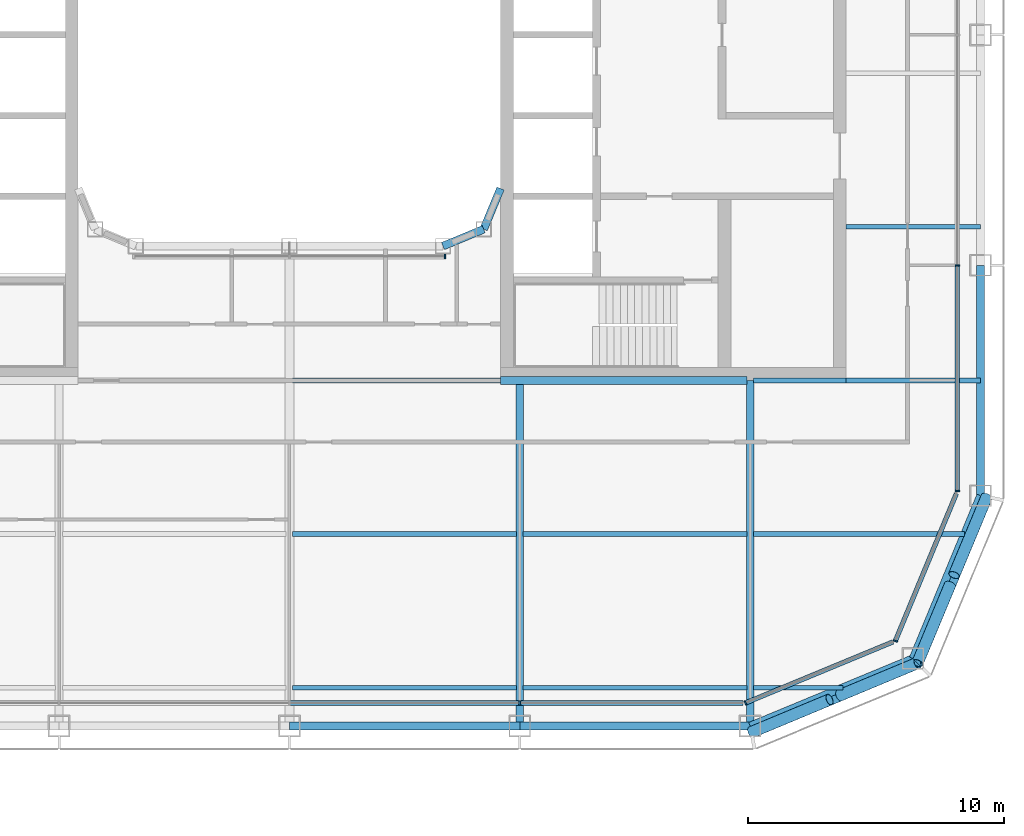
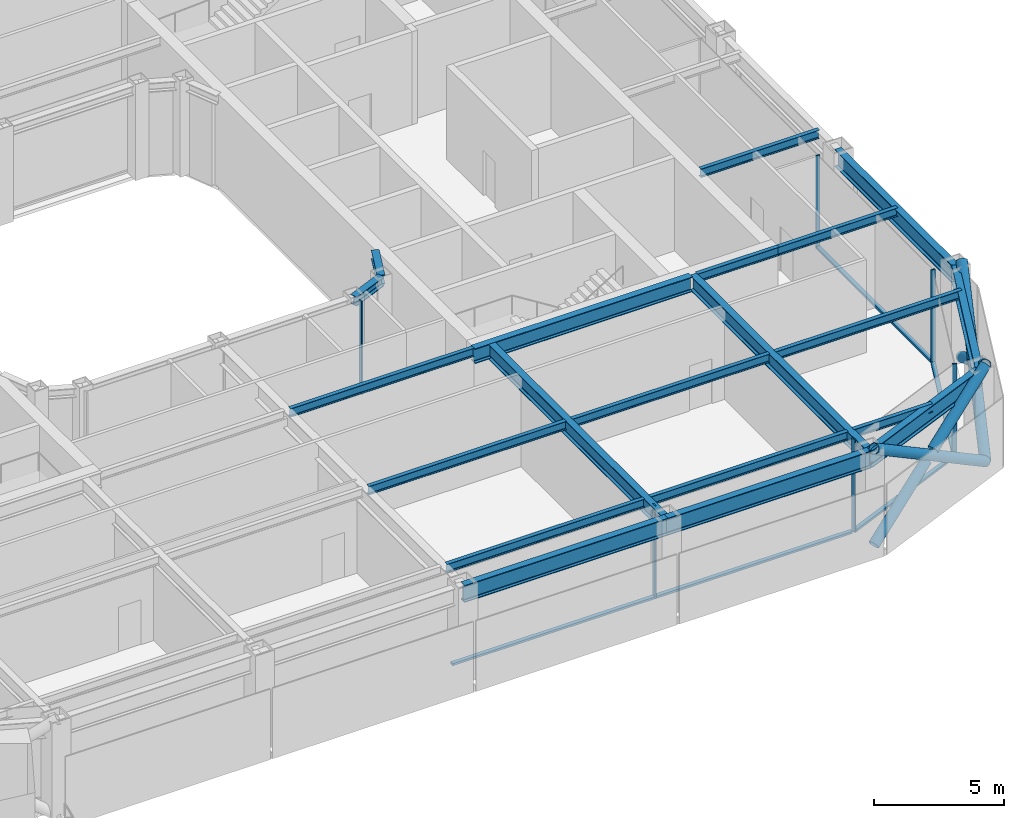
# One storey, part 4 of 24: 20 beams, 17 members, 5 elements without a shape of their own.
"""IFC4 building model written with IfcOpenShell, lengths in metres."""

from ifc_helpers import new_model, si_unit, direction, frame, origin, origin_2d, place, context, subcontext, project, spatial, rectangle, hollow_circle, i_section, extrude, material, layer, layer_set, material_profile, profile_set, type_object, element, aggregate, save


model = new_model("IFC4")

# Units and contexts
model_context = context("Model", 3, precision=1e-05, world=origin(), true_north=direction((0.0, 1.0)))
body_context = subcontext(model_context, "Body", "Model", "MODEL_VIEW")
ifc_project = project(units=[si_unit("LENGTHUNIT", "METRE"), si_unit("AREAUNIT", "SQUARE_METRE"), si_unit("VOLUMEUNIT", "CUBIC_METRE"), si_unit("PLANEANGLEUNIT", "RADIAN"), si_unit("MASSUNIT", "GRAM", prefix="KILO")], contexts=[model_context])

# Site, building, storey
site_placement = place(None, origin())
site = spatial("IfcSite", under=ifc_project, at=site_placement, CompositionType="ELEMENT")
building_placement = place(site_placement, origin())
building = spatial("IfcBuilding", under=site, at=building_placement, Name="Siwar Civic Tower", CompositionType="ELEMENT")
storey_placement = place(building_placement, frame((0.0, 0.0, 215.199951171875)))
storey = spatial("IfcBuildingStorey", under=building, at=storey_placement, Name="L46", CompositionType="ELEMENT", Elevation=215.199951171875)

# Curtain wall, member
ifc_material_1 = material(Name="Aluminium and glass", Category="aluminium")
ifc_layer_1 = layer(ifc_material_1, 0.179931640625)
ifc_layer_set_1 = layer_set([ifc_layer_1], Name="Aluminium and glass")
curtain_wall_type_1 = type_object("IfcCurtainWallType", Name="ENV-CW-C", PredefinedType="NOTDEFINED", material=ifc_layer_set_1)
curtain_wall_1_placement = place(storey_placement, origin())
curtain_wall_1 = element("IfcCurtainWall", 1, at=curtain_wall_1_placement, inside=storey, type_object=curtain_wall_type_1, Name="Curtain wall C S", PredefinedType="NOTDEFINED")
ifc_material_2 = material(Name="Aluminium 6063-T6", Category="aluminium")
ifc_material_profile_1 = material_profile(ifc_material_2, rectangle(XDim=0.179931640625, YDim=0.06005859375, at=origin_2d()), Name="AL 180x60")
ifc_profile_set_1 = profile_set([ifc_material_profile_1], Name="Aluminium 6063-T6")
member_type_1 = type_object("IfcMemberType", Name="ENV-MULLION-C", PredefinedType="MULLION", material=ifc_profile_set_1)
member_1_placement = place(storey_placement, frame((9.0, -26.10009765625, 0.0), z_axis=(0.0, 0.0, 1.0), x_axis=(0.0, 1.0, 0.0)))
member_1 = element("IfcMember", 2, at=member_1_placement, type_object=member_type_1, Name="Mullion C S 4", PredefinedType="MULLION", context=body_context, shape_type="SweptSolid", body=[
    extrude(rectangle(XDim=0.179931640625, YDim=0.06005859375, at=origin_2d()), origin(), (0.0, 0.0, 1.0), 4.35009765625),
])

ifc_material_3 = material(Name="Aluminium clad insulated panel", Category="aluminium")
ifc_layer_2 = layer(ifc_material_3, 0.179931640625)
ifc_layer_set_2 = layer_set([ifc_layer_2], Name="Aluminium clad insulated panel")
curtain_wall_type_2 = type_object("IfcCurtainWallType", Name="ENV-CW-CX", PredefinedType="NOTDEFINED", material=ifc_layer_set_2)
curtain_wall_2_placement = place(storey_placement, origin())
curtain_wall_2 = element("IfcCurtainWall", 3, at=curtain_wall_2_placement, inside=storey, type_object=curtain_wall_type_2, Name="Curtain wall C SE1", PredefinedType="NOTDEFINED")
member_2_placement = place(storey_placement, frame((17.821044921875, -26.10009765625, 0.0), z_axis=(0.0, 0.0, 1.0), x_axis=(-0.382683432365, 0.923879532511, 0.0)))
member_2 = element("IfcMember", 4, at=member_2_placement, type_object=member_type_1, Name="Mullion C SE1 1", PredefinedType="MULLION", context=body_context, shape_type="SweptSolid", body=[
    extrude(rectangle(XDim=0.179931640625, YDim=0.06005859375, at=origin_2d()), origin(), (0.0, 0.0, 1.0), 4.35009765625),
])

curtain_wall_3_placement = place(storey_placement, origin())
curtain_wall_3 = element("IfcCurtainWall", 5, at=curtain_wall_3_placement, inside=storey, type_object=curtain_wall_type_2, Name="Curtain wall C SE2", PredefinedType="NOTDEFINED")
member_3_placement = place(storey_placement, frame((23.675048828125, -23.675048828125, 0.0), z_axis=(0.0, 0.0, 1.0), x_axis=(-0.923879532511, 0.382683432365, 0.0)))
member_3 = element("IfcMember", 6, at=member_3_placement, type_object=member_type_1, Name="Mullion C SE2 1", PredefinedType="MULLION", context=body_context, shape_type="SweptSolid", body=[
    extrude(rectangle(XDim=0.179931640625, YDim=0.06005859375, at=origin_2d()), origin(), (0.0, 0.0, 1.0), 4.35009765625),
])

# Curtain wall, members
curtain_wall_4_placement = place(storey_placement, origin())
curtain_wall_4 = element("IfcCurtainWall", 7, at=curtain_wall_4_placement, inside=storey, type_object=curtain_wall_type_1, Name="Curtain wall C E", PredefinedType="NOTDEFINED")
member_4_placement = place(storey_placement, frame((26.10009765625, -17.821044921875, 0.0), z_axis=(0.0, 0.0, 1.0), x_axis=(-1.0, 0.0, 0.0)))
member_4 = element("IfcMember", 8, at=member_4_placement, type_object=member_type_1, Name="Mullion C E 1", PredefinedType="MULLION", context=body_context, shape_type="SweptSolid", body=[
    extrude(rectangle(XDim=0.179931640625, YDim=0.06005859375, at=origin_2d()), origin(), (0.0, 0.0, 1.0), 4.35009765625),
])
member_5_placement = place(storey_placement, frame((26.10009765625, -9.0, 0.0), z_axis=(0.0, 0.0, 1.0), x_axis=(-1.0, 0.0, 0.0)))
member_5 = element("IfcMember", 9, at=member_5_placement, type_object=member_type_1, Name="Mullion C E 2", PredefinedType="MULLION", context=body_context, shape_type="SweptSolid", body=[
    extrude(rectangle(XDim=0.179931640625, YDim=0.06005859375, at=origin_2d()), origin(), (0.0, 0.0, 1.0), 4.35009765625),
])

# Curtain wall, member
ifc_material_4 = material(Name="Aluminium and glass", Category="aluminium")
ifc_layer_3 = layer(ifc_material_4, 0.179931640625)
ifc_layer_set_3 = layer_set([ifc_layer_3], Name="Aluminium and glass")
curtain_wall_type_3 = type_object("IfcCurtainWallType", Name="ENV-CW-W", PredefinedType="NOTDEFINED", material=ifc_layer_set_3)
curtain_wall_5_placement = place(storey_placement, origin())
curtain_wall_5 = element("IfcCurtainWall", 10, at=curtain_wall_5_placement, inside=storey, type_object=curtain_wall_type_3, Name="Curtain wall W WS", PredefinedType="NOTDEFINED")
ifc_material_5 = material(Name="Aluminium 6063-T6", Category="aluminium")
ifc_material_profile_2 = material_profile(ifc_material_5, rectangle(XDim=0.179931640625, YDim=0.06005859375, at=origin_2d()), Name="AL 180x60")
ifc_profile_set_2 = profile_set([ifc_material_profile_2], Name="Aluminium 6063-T6")
member_type_2 = type_object("IfcMemberType", Name="ENV-MULLION-W", PredefinedType="MULLION", material=ifc_profile_set_2)
member_6_placement = place(storey_placement, frame((6.08154296875, -8.659912109375, 0.0), z_axis=(0.0, 0.0, 1.0), x_axis=(0.0, 1.0, 0.0)))
member_6 = element("IfcMember", 11, at=member_6_placement, type_object=member_type_2, Name="Mullion W WS 3", PredefinedType="MULLION", context=body_context, shape_type="SweptSolid", body=[
    extrude(rectangle(XDim=0.179931640625, YDim=0.06005859375, at=origin_2d()), origin(), (0.0, 0.0, 1.0), 4.35009765625),
])
aggregate(curtain_wall_5, [member_6])

# Member
ifc_material_6 = material(Name="Aluminium 6063-T6", Category="aluminium")
ifc_material_profile_3 = material_profile(ifc_material_6, rectangle(XDim=0.179931640625, YDim=0.10009765625, at=origin_2d()), Name="AL 180x100")
ifc_profile_set_3 = profile_set([ifc_material_profile_3], Name="Aluminium 6063-T6")
member_type_3 = type_object("IfcMemberType", Name="ENV-TRANSOM-C", PredefinedType="USERDEFINED", material=ifc_profile_set_3)
member_7_placement = place(storey_placement, frame((0.030029296875, -26.10009765625, 0.050048828125), z_axis=(1.0, 0.0, 0.0), x_axis=(0.0, 1.0, 0.0)))
member_7 = element("IfcMember", 12, at=member_7_placement, type_object=member_type_3, Name="Transom C S 3", ObjectType="TRANSOM", PredefinedType="USERDEFINED", context=body_context, shape_type="SweptSolid", body=[
    extrude(rectangle(XDim=0.179931640625, YDim=0.10009765625, at=origin_2d()), origin(), (0.0, 0.0, 1.0), 8.93994140625),
])

member_8_placement = place(storey_placement, frame((9.030029296875, -26.10009765625, 0.050048828125), z_axis=(1.0, 0.0, 0.0), x_axis=(0.0, 1.0, 0.0)))
member_8 = element("IfcMember", 13, at=member_8_placement, type_object=member_type_3, Name="Transom C S 4", ObjectType="TRANSOM", PredefinedType="USERDEFINED", context=body_context, shape_type="SweptSolid", body=[
    extrude(rectangle(XDim=0.179931640625, YDim=0.10009765625, at=origin_2d()), origin(), (0.0, 0.0, 1.0), 8.68603515625),
])

aggregate(curtain_wall_1, [member_1, member_7, member_8])

member_9_placement = place(storey_placement, frame((17.8486328125, -26.088623046875, 0.050048828125), z_axis=(0.923882011223, 0.38267744817, 0.0), x_axis=(-0.38267744817, 0.923882011223, 0.0)))
member_9 = element("IfcMember", 14, at=member_9_placement, type_object=member_type_3, Name="Transom C SE1 1", ObjectType="TRANSOM", PredefinedType="USERDEFINED", context=body_context, shape_type="SweptSolid", body=[
    extrude(rectangle(XDim=0.179931640625, YDim=0.10009765625, at=origin_2d()), origin(), (0.0, 0.0, 1.0), 6.201904296875),
])

aggregate(curtain_wall_2, [member_2, member_9])

member_10_placement = place(storey_placement, frame((23.6865234375, -23.6474609375, 0.050048828125), z_axis=(0.382691366456, 0.923876246063, 0.0), x_axis=(-0.923876246063, 0.382691366456, 0.0)))
member_10 = element("IfcMember", 15, at=member_10_placement, type_object=member_type_3, Name="Transom C SE2 1", ObjectType="TRANSOM", PredefinedType="USERDEFINED", context=body_context, shape_type="SweptSolid", body=[
    extrude(rectangle(XDim=0.179931640625, YDim=0.10009765625, at=origin_2d()), origin(), (0.0, 0.0, 1.0), 6.20166015625),
])

aggregate(curtain_wall_3, [member_3, member_10])

member_11_placement = place(storey_placement, frame((26.10009765625, -17.791015625, 0.050048828125), z_axis=(0.0, 1.0, 0.0), x_axis=(-1.0, 0.0, 0.0)))
member_11 = element("IfcMember", 16, at=member_11_placement, type_object=member_type_3, Name="Transom C E 1", ObjectType="TRANSOM", PredefinedType="USERDEFINED", context=body_context, shape_type="SweptSolid", body=[
    extrude(rectangle(XDim=0.179931640625, YDim=0.10009765625, at=origin_2d()), origin(), (0.0, 0.0, 1.0), 8.760986328125),
])

aggregate(curtain_wall_4, [member_4, member_5, member_11])

# Members
ifc_material_7 = material(Name="Steel S355", Category="steel")
ifc_material_profile_4 = material_profile(ifc_material_7, hollow_circle(Radius=0.228515625, WallThickness=0.02001953125, at=origin_2d()), Name="CHS457x20")
ifc_profile_set_4 = profile_set([ifc_material_profile_4], Name="Steel S355")
member_type_4 = type_object("IfcMemberType", Name="STR-BR-CHS457x20", PredefinedType="BRACE", material=ifc_profile_set_4)
member_12_placement = place(storey_placement, frame((24.540771484375, -24.540771484375, 0.0), z_axis=(0.323905527954, 0.777554562952, 0.538975055633), x_axis=(-0.923108759191, 0.384538969033, 0.0)))
element("IfcMember", 17, at=member_12_placement, inside=storey, type_object=member_type_4, Name="L46/brc/CSE1-6-0-1", PredefinedType="BRACE", context=body_context, shape_type="SweptSolid", body=[
    extrude(hollow_circle(Radius=0.228515625, WallThickness=0.02001953125, at=origin_2d()), origin(), (0.0, 0.0, 1.0), 8.34912109375),
])
for number, where, z_axis, x_axis, name in (
    (18, (27.2451171875, -18.048828125, 0.0), (-0.323884455881, -0.777546448489, 0.538999424564), (0.92311621485, -0.38452107079, 0.0), "L46/brc/CSE1-6-0-2"),
    (19, (25.81298828125, -21.486572265625, 2.383056640625), (-0.323895306243, -0.777572496853, 0.538955325357), (0.92311621485, -0.38452107079, 0.0), "L46/brc/CSE1-6-0-3"),
):
    element("IfcMember", number, at=place(storey_placement, frame(where, z_axis=z_axis, x_axis=x_axis)), inside=storey, type_object=member_type_4, Name=name, PredefinedType="BRACE", context=body_context, shape_type="SweptSolid", body=[
        extrude(hollow_circle(Radius=0.228515625, WallThickness=0.02001953125, at=origin_2d()), origin(), (0.0, 0.0, 1.0), 3.927978515625),
    ])
member_13_placement = place(storey_placement, frame((24.540771484375, -24.540771484375, 0.0), z_axis=(-0.777554562952, -0.323905527954, 0.538975055633), x_axis=(0.384538969033, -0.923108759191, 0.0)))
element("IfcMember", 20, at=member_13_placement, inside=storey, type_object=member_type_4, Name="L46/brc/CSE1-6-0-0", PredefinedType="BRACE", context=body_context, shape_type="SweptSolid", body=[
    extrude(hollow_circle(Radius=0.228515625, WallThickness=0.02001953125, at=origin_2d()), origin(), (0.0, 0.0, 1.0), 8.34912109375),
])
for number, where, z_axis, x_axis, name in (
    (21, (18.048828125, -27.2451171875, 0.0), (0.777546448489, 0.323884455881, 0.538999424564), (-0.38452107079, 0.92311621485, 0.0), "L46/brc/CSE1-6-0-4"),
    (22, (21.486572265625, -25.81298828125, 2.383056640625), (0.777572496853, 0.323895306243, 0.538955325357), (-0.38452107079, 0.92311621485, 0.0), "L46/brc/CSE1-6-0-5"),
):
    element("IfcMember", number, at=place(storey_placement, frame(where, z_axis=z_axis, x_axis=x_axis)), inside=storey, type_object=member_type_4, Name=name, PredefinedType="BRACE", context=body_context, shape_type="SweptSolid", body=[
        extrude(hollow_circle(Radius=0.228515625, WallThickness=0.02001953125, at=origin_2d()), origin(), (0.0, 0.0, 1.0), 3.927978515625),
    ])

# Beams
ifc_material_8 = material(Name="Steel S355", Category="steel")
ifc_material_profile_5 = material_profile(ifc_material_8, i_section(OverallWidth=0.179931640625, OverallDepth=0.39990234375, WebThickness=0.008544921875, FlangeThickness=0.013427734375, FilletRadius=0.02099609375, at=origin_2d()), Name="IPE400")
ifc_profile_set_5 = profile_set([ifc_material_profile_5], Name="Steel S355")
beam_type_1 = type_object("IfcBeamType", Name="STR-FB-IPE400", PredefinedType="JOIST", material=ifc_profile_set_5)
for number, where, z_axis, x_axis, name in (
    (23, (0.1298828125, -25.5, 4.150146484375), (1.0, 0.0, 0.0), (0.0, 1.0, 0.0), "L46/bm/F004"),
    (24, (9.1298828125, -25.5, 4.150146484375), (1.0, 0.0, 0.0), (0.0, 1.0, 0.0), "L46/bm/F005"),
):
    element("IfcBeam", number, at=place(storey_placement, frame(where, z_axis=z_axis, x_axis=x_axis)), inside=storey, type_object=beam_type_1, Name=name, PredefinedType="JOIST", context=body_context, shape_type="SweptSolid", body=[
        extrude(i_section(OverallWidth=0.179931640625, OverallDepth=0.39990234375, WebThickness=0.008544921875, FlangeThickness=0.013427734375, FilletRadius=0.02099609375, at=origin_2d()), origin(), (0.0, 0.0, 1.0), 8.740234375),
    ])
beam_1_placement = place(storey_placement, frame((18.1298828125, -25.5, 4.150146484375), z_axis=(1.0, 0.0, 0.0), x_axis=(0.0, 1.0, 0.0)))
element("IfcBeam", 25, at=beam_1_placement, inside=storey, type_object=beam_type_1, Name="L46/bm/F006", PredefinedType="JOIST", context=body_context, shape_type="SweptSolid", body=[
    extrude(i_section(OverallWidth=0.179931640625, OverallDepth=0.39990234375, WebThickness=0.008544921875, FlangeThickness=0.013427734375, FilletRadius=0.02099609375, at=origin_2d()), origin(), (0.0, 0.0, 1.0), 3.491455078125),
])
for number, where, z_axis, x_axis, name in (
    (26, (0.1298828125, -19.5, 4.150146484375), (1.0, 0.0, 0.0), (0.0, 1.0, 0.0), "L46/bm/F010"),
    (27, (9.1298828125, -19.5, 4.150146484375), (1.0, 0.0, 0.0), (0.0, 1.0, 0.0), "L46/bm/F011"),
):
    element("IfcBeam", number, at=place(storey_placement, frame(where, z_axis=z_axis, x_axis=x_axis)), inside=storey, type_object=beam_type_1, Name=name, PredefinedType="JOIST", context=body_context, shape_type="SweptSolid", body=[
        extrude(i_section(OverallWidth=0.179931640625, OverallDepth=0.39990234375, WebThickness=0.008544921875, FlangeThickness=0.013427734375, FilletRadius=0.02099609375, at=origin_2d()), origin(), (0.0, 0.0, 1.0), 8.740234375),
    ])
beam_2_placement = place(storey_placement, frame((18.1298828125, -19.5, 4.150146484375), z_axis=(1.0, 0.0, 0.0), x_axis=(0.0, 1.0, 0.0)))
element("IfcBeam", 28, at=beam_2_placement, inside=storey, type_object=beam_type_1, Name="L46/bm/F012", PredefinedType="JOIST", context=body_context, shape_type="SweptSolid", body=[
    extrude(i_section(OverallWidth=0.179931640625, OverallDepth=0.39990234375, WebThickness=0.008544921875, FlangeThickness=0.013427734375, FilletRadius=0.02099609375, at=origin_2d()), origin(), (0.0, 0.0, 1.0), 8.248779296875),
])
beam_3_placement = place(storey_placement, frame((0.1298828125, -13.5, 4.150146484375), z_axis=(1.0, 0.0, 0.0), x_axis=(0.0, 1.0, 0.0)))
element("IfcBeam", 29, at=beam_3_placement, inside=storey, type_object=beam_type_1, Name="L46/bm/F017", PredefinedType="JOIST", context=body_context, shape_type="SweptSolid", body=[
    extrude(i_section(OverallWidth=0.179931640625, OverallDepth=0.39990234375, WebThickness=0.008544921875, FlangeThickness=0.013427734375, FilletRadius=0.02099609375, at=origin_2d()), origin(), (0.0, 0.0, 1.0), 8.1201171875),
])
beam_4_placement = place(storey_placement, frame((18.1298828125, -13.5, 4.150146484375), z_axis=(1.0, 0.0, 0.0), x_axis=(0.0, 1.0, 0.0)))
element("IfcBeam", 30, at=beam_4_placement, inside=storey, type_object=beam_type_1, Name="L46/bm/F019", PredefinedType="JOIST", context=body_context, shape_type="SweptSolid", body=[
    extrude(i_section(OverallWidth=0.179931640625, OverallDepth=0.39990234375, WebThickness=0.008544921875, FlangeThickness=0.013427734375, FilletRadius=0.02099609375, at=origin_2d()), origin(), (0.0, 0.0, 1.0), 3.6201171875),
])
for number, where, z_axis, x_axis, name in (
    (31, (21.75, -13.5, 4.150146484375), (1.0, 0.0, 0.0), (0.0, 1.0, 0.0), "L46/bm/F020"),
    (32, (21.75, -7.5, 4.150146484375), (1.0, 0.0, 0.0), (0.0, 1.0, 0.0), "L46/bm/F022"),
):
    element("IfcBeam", number, at=place(storey_placement, frame(where, z_axis=z_axis, x_axis=x_axis)), inside=storey, type_object=beam_type_1, Name=name, PredefinedType="JOIST", context=body_context, shape_type="SweptSolid", body=[
        extrude(i_section(OverallWidth=0.179931640625, OverallDepth=0.39990234375, WebThickness=0.008544921875, FlangeThickness=0.013427734375, FilletRadius=0.02099609375, at=origin_2d()), origin(), (0.0, 0.0, 1.0), 5.25),
    ])
ifc_material_9 = material(Name="Steel S355", Category="steel")
ifc_material_profile_6 = material_profile(ifc_material_9, i_section(OverallWidth=0.300048828125, OverallDepth=0.699951171875, WebThickness=0.01708984375, FlangeThickness=0.031982421875, FilletRadius=0.027099609375, at=origin_2d()), Name="HEB700")
ifc_profile_set_6 = profile_set([ifc_material_profile_6], Name="Steel S355")
beam_type_2 = type_object("IfcBeamType", Name="STR-PG-HEB700", PredefinedType="BEAM", material=ifc_profile_set_6)
for number, where, z_axis, x_axis, name in (
    (33, (9.0, -27.0, 4.0), (0.0, 1.0, 0.0), (-1.0, 0.0, 0.0), "L46/bm/G07"),
    (34, (18.0, -27.0, 4.0), (0.0, 1.0, 0.0), (-1.0, 0.0, 0.0), "L46/bm/G09"),
):
    element("IfcBeam", number, at=place(storey_placement, frame(where, z_axis=z_axis, x_axis=x_axis)), inside=storey, type_object=beam_type_2, Name=name, PredefinedType="BEAM", context=body_context, shape_type="SweptSolid", body=[
        extrude(i_section(OverallWidth=0.300048828125, OverallDepth=0.699951171875, WebThickness=0.01708984375, FlangeThickness=0.031982421875, FilletRadius=0.027099609375, at=origin_2d()), origin(), (0.0, 0.0, 1.0), 13.5),
    ])
beam_5_placement = place(storey_placement, frame((8.25, -13.5, 4.0), z_axis=(1.0, 0.0, 0.0), x_axis=(0.0, 1.0, 0.0)))
element("IfcBeam", 35, at=beam_5_placement, inside=storey, type_object=beam_type_2, Name="L46/bm/F018", PredefinedType="BEAM", context=body_context, shape_type="SweptSolid", body=[
    extrude(i_section(OverallWidth=0.300048828125, OverallDepth=0.699951171875, WebThickness=0.01708984375, FlangeThickness=0.031982421875, FilletRadius=0.027099609375, at=origin_2d()), origin(), (0.0, 0.0, 1.0), 9.6201171875),
])
ifc_material_10 = material(Name="Steel S355", Category="steel")
ifc_material_profile_7 = material_profile(ifc_material_10, i_section(OverallWidth=0.306884765625, OverallDepth=0.431884765625, WebThickness=0.02099609375, FlangeThickness=0.0400390625, FilletRadius=0.027099609375, at=origin_2d()), Name="HEM400")
ifc_profile_set_7 = profile_set([ifc_material_profile_7], Name="Steel S355")
beam_type_3 = type_object("IfcBeamType", Name="STR-RB-HEM400", PredefinedType="BEAM", material=ifc_profile_set_7)
for number, where, z_axis, x_axis, name in (
    (36, (6.0, -8.25, 4.134033203125), (0.923901072997, 0.382631424892, 0.0), (-0.382631424892, 0.923901072997, 0.0), "L46/bm/RS3"),
    (37, (7.591064453125, -7.591064453125, 4.134033203125), (0.382631424892, 0.923901072997, 0.0), (-0.923901072997, 0.382631424892, 0.0), "L46/bm/RSEE"),
):
    element("IfcBeam", number, at=place(storey_placement, frame(where, z_axis=z_axis, x_axis=x_axis)), inside=storey, type_object=beam_type_3, Name=name, PredefinedType="BEAM", context=body_context, shape_type="SweptSolid", body=[
        extrude(i_section(OverallWidth=0.306884765625, OverallDepth=0.431884765625, WebThickness=0.02099609375, FlangeThickness=0.0400390625, FilletRadius=0.027099609375, at=origin_2d()), origin(), (0.0, 0.0, 1.0), 1.72216796875),
    ])
ifc_material_11 = material(Name="Steel S355", Category="steel")
ifc_material_profile_8 = material_profile(ifc_material_11, i_section(OverallWidth=0.300048828125, OverallDepth=0.800048828125, WebThickness=0.017578125, FlangeThickness=0.032958984375, FilletRadius=0.030029296875, at=origin_2d()), Name="HEB800")
ifc_profile_set_8 = profile_set([ifc_material_profile_8], Name="Steel S355")
beam_type_4 = type_object("IfcBeamType", Name="STR-SB-HEB800", PredefinedType="BEAM", material=ifc_profile_set_8)
for number, where, z_axis, x_axis, name in (
    (38, (0.0, -27.0, 3.949951171875), (1.0, 0.0, 0.0), (0.0, 1.0, 0.0), "L46/bm/SS-2"),
    (39, (9.0, -27.0, 3.949951171875), (1.0, 0.0, 0.0), (0.0, 1.0, 0.0), "L46/bm/SS-3"),
):
    element("IfcBeam", number, at=place(storey_placement, frame(where, z_axis=z_axis, x_axis=x_axis)), inside=storey, type_object=beam_type_4, Name=name, PredefinedType="BEAM", context=body_context, shape_type="SweptSolid", body=[
        extrude(i_section(OverallWidth=0.300048828125, OverallDepth=0.800048828125, WebThickness=0.017578125, FlangeThickness=0.032958984375, FilletRadius=0.030029296875, at=origin_2d()), origin(), (0.0, 0.0, 1.0), 9.0),
    ])
for number, where, z_axis, x_axis, name in (
    (40, (18.0, -27.0, 3.949951171875), (0.923883353507, 0.382674207535, 0.0), (-0.382674207535, 0.923883353507, 0.0), "L46/bm/SSE1-0"),
    (41, (24.364013671875, -24.364013671875, 3.949951171875), (0.382674207535, 0.923883353507, 0.0), (-0.923883353507, 0.382674207535, 0.0), "L46/bm/SSE2-0"),
):
    element("IfcBeam", number, at=place(storey_placement, frame(where, z_axis=z_axis, x_axis=x_axis)), inside=storey, type_object=beam_type_4, Name=name, PredefinedType="BEAM", context=body_context, shape_type="SweptSolid", body=[
        extrude(i_section(OverallWidth=0.300048828125, OverallDepth=0.800048828125, WebThickness=0.017578125, FlangeThickness=0.032958984375, FilletRadius=0.030029296875, at=origin_2d()), origin(), (0.0, 0.0, 1.0), 6.888427734375),
    ])
beam_6_placement = place(storey_placement, frame((27.0, -18.0, 3.949951171875), z_axis=(0.0, 1.0, 0.0), x_axis=(-1.0, 0.0, 0.0)))
element("IfcBeam", 42, at=beam_6_placement, inside=storey, type_object=beam_type_4, Name="L46/bm/SE-0", PredefinedType="BEAM", context=body_context, shape_type="SweptSolid", body=[
    extrude(i_section(OverallWidth=0.300048828125, OverallDepth=0.800048828125, WebThickness=0.017578125, FlangeThickness=0.032958984375, FilletRadius=0.030029296875, at=origin_2d()), origin(), (0.0, 0.0, 1.0), 9.0),
])

save(model, "model.ifc")
